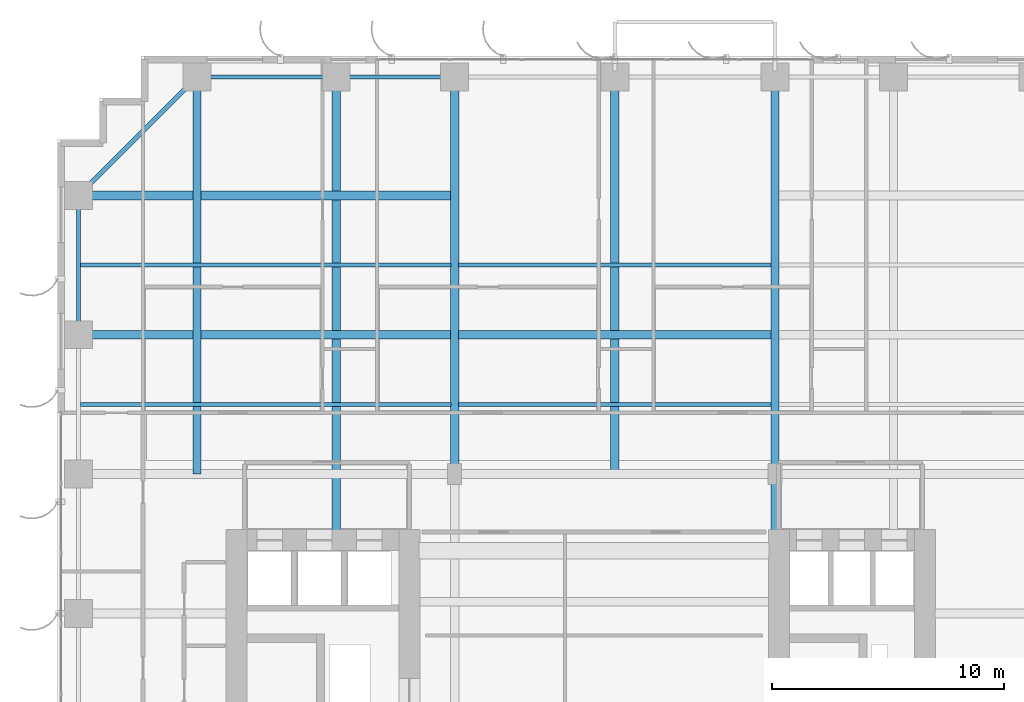
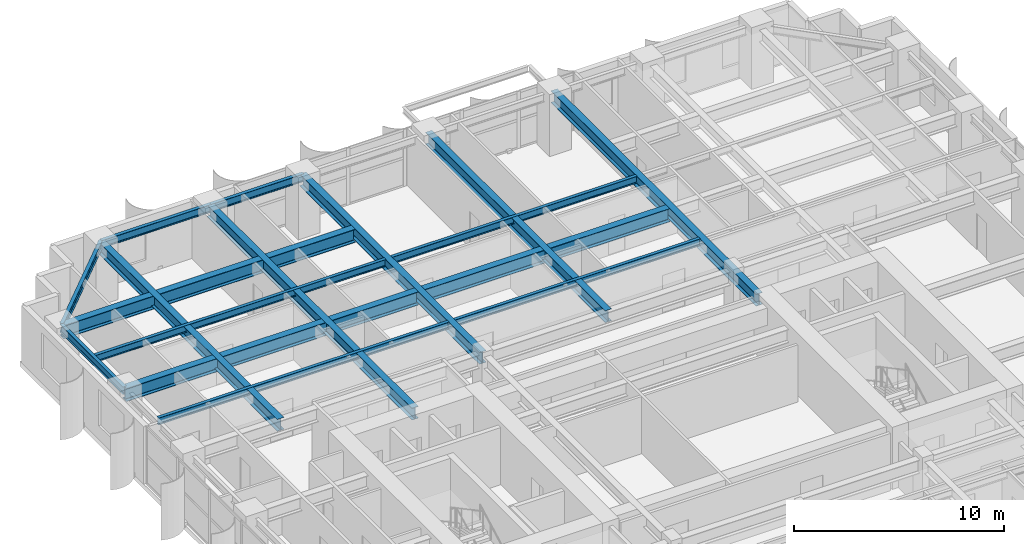
# One storey, part 9 of 26: 16 beams.
"""IFC4 building model written with IfcOpenShell, lengths in metres."""

from ifc_helpers import new_model, si_unit, direction, frame, origin, origin_2d, place, context, subcontext, project, spatial, i_section, extrude, source, transform, mapped, material, material_profile, profile_set, type_object, element, save


model = new_model("IFC4")

# Units and contexts
model_context = context("Model", 3, precision=1e-05, world=origin(), true_north=direction((0.0, 1.0)))
body_context = subcontext(model_context, "Body", "Model", "MODEL_VIEW")
ifc_project = project(units=[si_unit("LENGTHUNIT", "METRE"), si_unit("AREAUNIT", "SQUARE_METRE"), si_unit("VOLUMEUNIT", "CUBIC_METRE"), si_unit("PLANEANGLEUNIT", "RADIAN"), si_unit("MASSUNIT", "GRAM", prefix="KILO")], contexts=[model_context])

# Site, building, storey
site_placement = place(None, origin())
site = spatial("IfcSite", under=ifc_project, at=site_placement, CompositionType="ELEMENT")
building_placement = place(site_placement, origin())
building = spatial("IfcBuilding", under=site, at=building_placement, Name="Khoralis Quay Care Tower", CompositionType="ELEMENT")
storey_placement = place(building_placement, frame((0.0, 0.0, 26.10009765625)))
storey = spatial("IfcBuildingStorey", under=building, at=storey_placement, Name="L06", CompositionType="ELEMENT", Elevation=26.10009765625)

# Beams
ifc_material = material(Name="Steel S355", Category="steel")
ifc_material_profile_1 = material_profile(ifc_material, i_section(OverallWidth=0.18994140625, OverallDepth=0.449951171875, WebThickness=0.009521484375, FlangeThickness=0.0146484375, FilletRadius=0.02099609375, at=origin_2d()), Name="Steel S355")
ifc_profile_set_1 = profile_set([ifc_material_profile_1], Name="Steel S355")
beam_type_1 = type_object("IfcBeamType", Name="BM-IPE450", PredefinedType="SPANDREL", material=ifc_profile_set_1)
shared_shape_1 = source(origin(), body_context, "Body", "SweptSolid", [
    extrude(i_section(OverallWidth=0.18994140625, OverallDepth=0.449951171875, WebThickness=0.009521484375, FlangeThickness=0.0146484375, FilletRadius=0.02099609375, at=origin_2d()), origin(), (0.0, 0.0, 1.0), 6.0),
])
for number, where, z_axis, x_axis, name in (
    (1, (6.0, 47.10009765625, 3.094970703125), (1.0, 0.0, 0.0), (0.0, 1.0, 0.0), "BM-TSP-L06-07"),
    (2, (0.89990234375, 36.0, 3.094970703125), (0.0, 1.0, 0.0), (-1.0, 0.0, 0.0), "BM-TSP-L06-18"),
):
    element("IfcBeam", number, at=place(storey_placement, frame(where, z_axis=z_axis, x_axis=x_axis)), inside=storey, type_object=beam_type_1, Name=name, PredefinedType="SPANDREL", context=body_context, shape_type="MappedRepresentation", body=[
        mapped(shared_shape_1, transform((0.0, 0.0, 0.0), scale=1.0)),
    ])
shared_shape_2 = source(origin(), body_context, "Body", "SweptSolid", [
    extrude(i_section(OverallWidth=0.18994140625, OverallDepth=0.449951171875, WebThickness=0.009521484375, FlangeThickness=0.0146484375, FilletRadius=0.02099609375, at=origin_2d()), origin(), (0.0, 0.0, 1.0), 5.10009765625),
])
beam_1_placement = place(storey_placement, frame((12.0, 47.10009765625, 3.094970703125), z_axis=(1.0, 0.0, 0.0), x_axis=(0.0, 1.0, 0.0)))
element("IfcBeam", 3, at=beam_1_placement, inside=storey, type_object=beam_type_1, Name="BM-TSP-L06-08", PredefinedType="SPANDREL", context=body_context, shape_type="MappedRepresentation", body=[
    mapped(shared_shape_2, transform((0.0, 0.0, 0.0), scale=1.0)),
])
shared_shape_3 = source(origin(), body_context, "Body", "SweptSolid", [
    extrude(i_section(OverallWidth=0.18994140625, OverallDepth=0.449951171875, WebThickness=0.009521484375, FlangeThickness=0.0146484375, FilletRadius=0.02099609375, at=origin_2d()), origin(), (0.0, 0.0, 1.0), 7.212646484375),
])
beam_2_placement = place(storey_placement, frame((6.0, 47.10009765625, 3.094970703125), z_axis=(-0.707106781187, -0.707106781187, 0.0), x_axis=(0.707106781187, -0.707106781187, 0.0)))
element("IfcBeam", 4, at=beam_2_placement, inside=storey, type_object=beam_type_1, Name="BM-TCR-L06-27", PredefinedType="SPANDREL", context=body_context, shape_type="MappedRepresentation", body=[
    mapped(shared_shape_3, transform((0.0, 0.0, 0.0), scale=1.0)),
])
ifc_material_profile_2 = material_profile(ifc_material, i_section(OverallWidth=0.381103515625, OverallDepth=0.77294921875, WebThickness=0.0166015625, FlangeThickness=0.027587890625, FilletRadius=0.02197265625, at=origin_2d()), Name="Steel S355")
ifc_profile_set_2 = profile_set([ifc_material_profile_2], Name="Steel S355")
beam_type_2 = type_object("IfcBeamType", Name="BM-W760X257", PredefinedType="BEAM", material=ifc_profile_set_2)
shared_shape_4 = source(origin(), body_context, "Body", "SweptSolid", [
    extrude(i_section(OverallWidth=0.381103515625, OverallDepth=0.77294921875, WebThickness=0.0166015625, FlangeThickness=0.027587890625, FilletRadius=0.02197265625, at=origin_2d()), origin(), (0.0, 0.0, 1.0), 16.03466796875),
])
for number, where, z_axis, x_axis, name in (
    (5, (0.89990234375, 36.0, 2.933349609375), (1.0, 0.0, 0.0), (0.0, 1.0, 0.0), "BM-TGXW-L06-360"),
    (6, (0.89990234375, 42.0, 2.933349609375), (1.0, 0.0, 0.0), (0.0, 1.0, 0.0), "BM-TGXW-L06-420"),
):
    element("IfcBeam", number, at=place(storey_placement, frame(where, z_axis=z_axis, x_axis=x_axis)), inside=storey, type_object=beam_type_2, Name=name, PredefinedType="BEAM", context=body_context, shape_type="MappedRepresentation", body=[
        mapped(shared_shape_4, transform((0.0, 0.0, 0.0), scale=1.0)),
    ])
shared_shape_5 = source(origin(), body_context, "Body", "SweptSolid", [
    extrude(i_section(OverallWidth=0.381103515625, OverallDepth=0.77294921875, WebThickness=0.0166015625, FlangeThickness=0.027587890625, FilletRadius=0.02197265625, at=origin_2d()), origin(), (0.0, 0.0, 1.0), 13.46923828125),
])
beam_3_placement = place(storey_placement, frame((17.265380859375, 36.0, 2.933349609375), z_axis=(1.0, 0.0, 0.0), x_axis=(0.0, 1.0, 0.0)))
element("IfcBeam", 7, at=beam_3_placement, inside=storey, type_object=beam_type_2, Name="BM-TGCC-L06-360", PredefinedType="BEAM", context=body_context, shape_type="MappedRepresentation", body=[
    mapped(shared_shape_5, transform((0.0, 0.0, 0.0), scale=1.0)),
])
ifc_material_profile_3 = material_profile(ifc_material, i_section(OverallWidth=0.35498046875, OverallDepth=0.695068359375, WebThickness=0.015380859375, FlangeThickness=0.02490234375, FilletRadius=0.02001953125, at=origin_2d()), Name="Steel S355")
ifc_profile_set_3 = profile_set([ifc_material_profile_3], Name="Steel S355")
beam_type_3 = type_object("IfcBeamType", Name="BM-W690X217", PredefinedType="BEAM", material=ifc_profile_set_3)
shared_shape_6 = source(origin(), body_context, "Body", "SweptSolid", [
    extrude(i_section(OverallWidth=0.35498046875, OverallDepth=0.695068359375, WebThickness=0.015380859375, FlangeThickness=0.02490234375, FilletRadius=0.02001953125, at=origin_2d()), origin(), (0.0, 0.0, 1.0), 17.10009765625),
])
for number, where, z_axis, x_axis, name in (
    (8, (6.0, 30.0, 2.972412109375), (0.0, 1.0, 0.0), (-1.0, 0.0, 0.0), "BM-TGYN-L06-60"),
    (9, (17.10009765625, 30.0, 2.972412109375), (0.0, 1.0, 0.0), (-1.0, 0.0, 0.0), "BM-TGYN-L06-171"),
    (10, (24.0, 30.0, 2.972412109375), (0.0, 1.0, 0.0), (-1.0, 0.0, 0.0), "BM-TGYN-L06-240"),
):
    element("IfcBeam", number, at=place(storey_placement, frame(where, z_axis=z_axis, x_axis=x_axis)), inside=storey, type_object=beam_type_3, Name=name, PredefinedType="BEAM", context=body_context, shape_type="MappedRepresentation", body=[
        mapped(shared_shape_6, transform((0.0, 0.0, 0.0), scale=1.0)),
    ])
shared_shape_7 = source(origin(), body_context, "Body", "SweptSolid", [
    extrude(i_section(OverallWidth=0.35498046875, OverallDepth=0.695068359375, WebThickness=0.015380859375, FlangeThickness=0.02490234375, FilletRadius=0.02001953125, at=origin_2d()), origin(), (0.0, 0.0, 1.0), 19.502197265625),
])
for number, where, z_axis, x_axis, name in (
    (11, (12.0, 27.597900390625, 2.972412109375), (0.0, 1.0, 0.0), (-1.0, 0.0, 0.0), "BM-TGYN-L06-120"),
    (12, (30.89990234375, 27.597900390625, 2.972412109375), (0.0, 1.0, 0.0), (-1.0, 0.0, 0.0), "BM-TGYN-L06-309"),
):
    element("IfcBeam", number, at=place(storey_placement, frame(where, z_axis=z_axis, x_axis=x_axis)), inside=storey, type_object=beam_type_3, Name=name, PredefinedType="BEAM", context=body_context, shape_type="MappedRepresentation", body=[
        mapped(shared_shape_7, transform((0.0, 0.0, 0.0), scale=1.0)),
    ])
ifc_material_profile_4 = material_profile(ifc_material, i_section(OverallWidth=0.177978515625, OverallDepth=0.406982421875, WebThickness=0.0078125, FlangeThickness=0.0126953125, FilletRadius=0.012939453125, at=origin_2d()), Name="Steel S355")
ifc_profile_set_4 = profile_set([ifc_material_profile_4], Name="Steel S355")
beam_type_4 = type_object("IfcBeamType", Name="BM-W410X60", PredefinedType="JOIST", material=ifc_profile_set_4)
shared_shape_8 = source(origin(), body_context, "Body", "SweptSolid", [
    extrude(i_section(OverallWidth=0.177978515625, OverallDepth=0.406982421875, WebThickness=0.0078125, FlangeThickness=0.0126953125, FilletRadius=0.012939453125, at=origin_2d()), origin(), (0.0, 0.0, 1.0), 15.95361328125),
])
for number, where, z_axis, x_axis, name in (
    (13, (0.98095703125, 33.0, 3.116455078125), (1.0, 0.0, 0.0), (0.0, 1.0, 0.0), "BM-TJS-L06-32"),
    (14, (0.98095703125, 39.0, 3.116455078125), (1.0, 0.0, 0.0), (0.0, 1.0, 0.0), "BM-TJS-L06-35"),
):
    element("IfcBeam", number, at=place(storey_placement, frame(where, z_axis=z_axis, x_axis=x_axis)), inside=storey, type_object=beam_type_4, Name=name, PredefinedType="JOIST", context=body_context, shape_type="MappedRepresentation", body=[
        mapped(shared_shape_8, transform((0.0, 0.0, 0.0), scale=1.0)),
    ])
shared_shape_9 = source(origin(), body_context, "Body", "SweptSolid", [
    extrude(i_section(OverallWidth=0.177978515625, OverallDepth=0.406982421875, WebThickness=0.0078125, FlangeThickness=0.0126953125, FilletRadius=0.012939453125, at=origin_2d()), origin(), (0.0, 0.0, 1.0), 13.46923828125),
])
for number, where, z_axis, x_axis, name in (
    (15, (17.265380859375, 33.0, 3.116455078125), (1.0, 0.0, 0.0), (0.0, 1.0, 0.0), "BM-TJS-L06-34"),
    (16, (17.265380859375, 39.0, 3.116455078125), (1.0, 0.0, 0.0), (0.0, 1.0, 0.0), "BM-TJS-L06-37"),
):
    element("IfcBeam", number, at=place(storey_placement, frame(where, z_axis=z_axis, x_axis=x_axis)), inside=storey, type_object=beam_type_4, Name=name, PredefinedType="JOIST", context=body_context, shape_type="MappedRepresentation", body=[
        mapped(shared_shape_9, transform((0.0, 0.0, 0.0), scale=1.0)),
    ])

save(model, "model.ifc")
